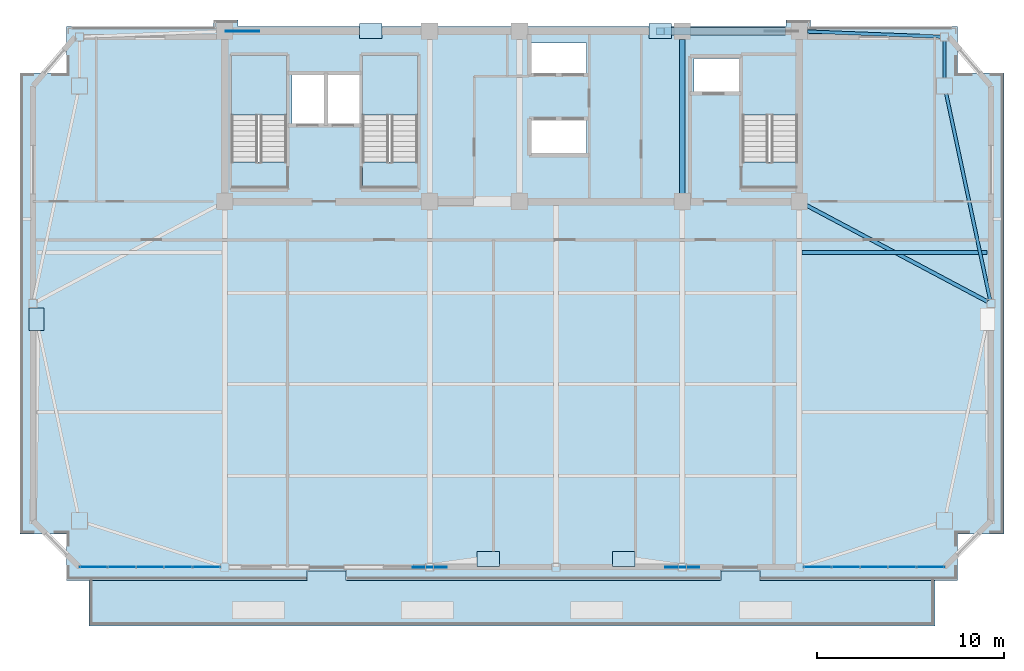
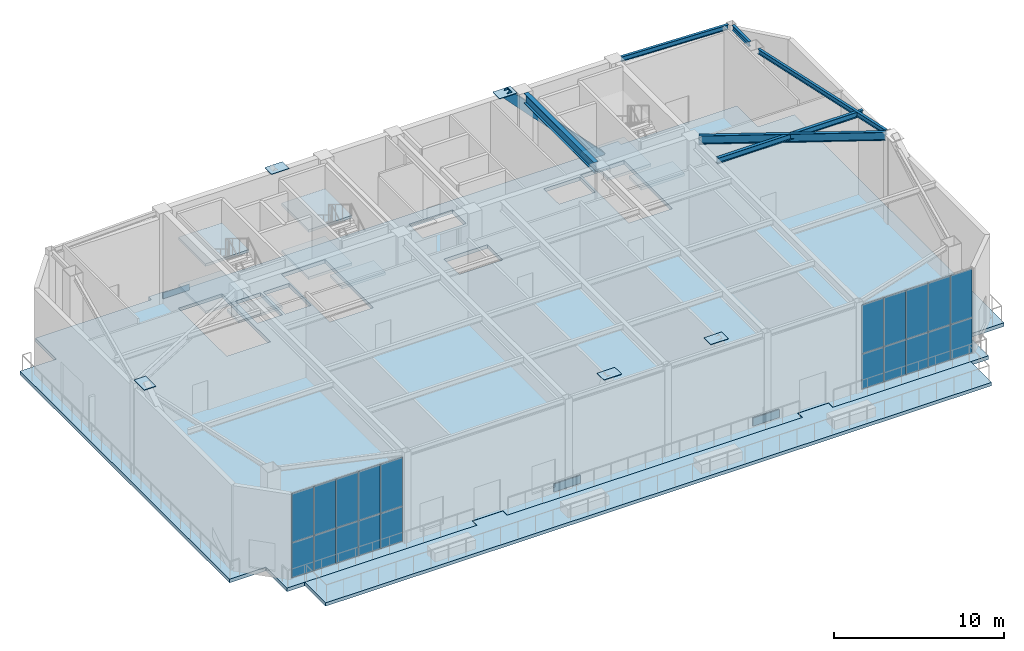
# One storey, part 7 of 15: 28 plates, 10 slabs, 6 beams, 1 member, 5 elements without a shape of their own.
"""IFC4 building model written with IfcOpenShell, lengths in metres."""

from ifc_helpers import new_model, si_unit, direction, frame, origin, origin_2d, place, context, subcontext, project, spatial, polyline, rectangle, hollow_rectangle, i_section, outline, extrude, source, transform, mapped, material, layer, layer_set, material_profile, profile_set, type_object, element, aggregate, save


model = new_model("IFC4")

# Units and contexts
model_context = context("Model", 3, precision=1e-05, world=origin(), true_north=direction((0.0, 1.0)))
body_context = subcontext(model_context, "Body", "Model", "MODEL_VIEW")
ifc_project = project(units=[si_unit("LENGTHUNIT", "METRE"), si_unit("AREAUNIT", "SQUARE_METRE"), si_unit("VOLUMEUNIT", "CUBIC_METRE"), si_unit("PLANEANGLEUNIT", "RADIAN"), si_unit("MASSUNIT", "GRAM", prefix="KILO")], contexts=[model_context])

# Site, building, storey
site_placement = place(None, origin())
site = spatial("IfcSite", under=ifc_project, at=site_placement, CompositionType="ELEMENT")
building_placement = place(site_placement, origin())
building = spatial("IfcBuilding", under=site, at=building_placement, Name="Giltprow Tower", CompositionType="ELEMENT")
storey_placement = place(building_placement, frame((0.0, 0.0, 279.10009765625)))
storey = spatial("IfcBuildingStorey", under=building, at=storey_placement, Name="L72", CompositionType="ELEMENT", Elevation=279.10009765625)

# Beams
ifc_material_1 = material(Name="Structural steel Q355B", Category="steel")
ifc_material_profile_1 = material_profile(ifc_material_1, i_section(OverallWidth=0.300048828125, OverallDepth=0.699951171875, WebThickness=0.012939453125, FlangeThickness=0.02392578125, at=origin_2d()), Name="HN 700x300x13x24")
ifc_profile_set_1 = profile_set([ifc_material_profile_1], Name="Structural steel Q355B")
beam_type_1 = type_object("IfcBeamType", Name="BM-GIRD-HN700", PredefinedType="BEAM", material=ifc_profile_set_1)
shared_shape_1 = source(origin(), body_context, "Body", "SweptSolid", [
    extrude(i_section(OverallWidth=0.300048828125, OverallDepth=0.699951171875, WebThickness=0.012939453125, FlangeThickness=0.02392578125, at=origin_2d()), origin(), (0.0, 0.0, 1.0), 8.22998046875),
])
beam_1_placement = place(storey_placement, frame((44.300048828125, 37.885009765625, 6.169921875), z_axis=(0.0, 1.0, 0.0), x_axis=(-1.0, 0.0, 0.0)))
element("IfcBeam", 1, at=beam_1_placement, inside=storey, type_object=beam_type_1, Name="L72 Core Tie Girder M3", PredefinedType="BEAM", context=body_context, shape_type="MappedRepresentation", body=[
    mapped(shared_shape_1, transform((0.0, 0.0, 0.0), x_axis=(1.0, 0.0, 0.0), y_axis=(0.0, 1.0, 0.0), z_axis=(0.0, 0.0, 1.0), scale=1.0)),
])
ifc_material_profile_2 = material_profile(ifc_material_1, i_section(OverallWidth=0.175048828125, OverallDepth=0.35009765625, WebThickness=0.007080078125, FlangeThickness=0.010986328125, at=origin_2d()), Name="HN 350x175x7x11")
ifc_profile_set_2 = profile_set([ifc_material_profile_2], Name="Structural steel Q355B")
beam_type_2 = type_object("IfcBeamType", Name="BM-SPAN-HN350", PredefinedType="SPANDREL", material=ifc_profile_set_2)
shared_shape_2 = source(origin(), body_context, "Body", "SweptSolid", [
    extrude(i_section(OverallWidth=0.175048828125, OverallDepth=0.35009765625, WebThickness=0.007080078125, FlangeThickness=0.010986328125, at=origin_2d()), origin(), (0.0, 0.0, 1.0), 11.23486328125),
])
beam_2_placement = place(storey_placement, frame((60.7470703125, 32.208984375, 6.344970703125), z_axis=(-0.208461937022, 0.978030480513, 0.0), x_axis=(-0.978030480513, -0.208461937022, 0.0)))
element("IfcBeam", 2, at=beam_2_placement, inside=storey, type_object=beam_type_2, Name="L72 Perimeter Spandrel Beam E_MID-MC_NE", PredefinedType="SPANDREL", context=body_context, shape_type="MappedRepresentation", body=[
    mapped(shared_shape_2, transform((0.0, 0.0, 0.0), x_axis=(1.0, 0.0, 0.0), y_axis=(0.0, 1.0, 0.0), z_axis=(0.0, 0.0, 1.0), scale=1.0)),
])
shared_shape_3 = source(origin(), body_context, "Body", "SweptSolid", [
    extrude(i_section(OverallWidth=0.175048828125, OverallDepth=0.35009765625, WebThickness=0.007080078125, FlangeThickness=0.010986328125, at=origin_2d()), origin(), (0.0, 0.0, 1.0), 1.983154296875),
])
beam_3_placement = place(storey_placement, frame((58.31396484375, 44.056884765625, 6.344970703125), z_axis=(0.0, 1.0, 0.0), x_axis=(-1.0, 0.0, 0.0)))
element("IfcBeam", 3, at=beam_3_placement, inside=storey, type_object=beam_type_2, Name="L72 Perimeter Spandrel Beam MC_NE-N_E", PredefinedType="SPANDREL", context=body_context, shape_type="MappedRepresentation", body=[
    mapped(shared_shape_3, transform((0.0, 0.0, 0.0), x_axis=(1.0, 0.0, 0.0), y_axis=(0.0, 1.0, 0.0), z_axis=(0.0, 0.0, 1.0), scale=1.0)),
])
shared_shape_4 = source(origin(), body_context, "Body", "SweptSolid", [
    extrude(i_section(OverallWidth=0.175048828125, OverallDepth=0.35009765625, WebThickness=0.007080078125, FlangeThickness=0.010986328125, at=origin_2d()), origin(), (0.0, 0.0, 1.0), 7.124267578125),
])
beam_4_placement = place(storey_placement, frame((50.985107421875, 46.532958984375, 6.344970703125), z_axis=(0.999255240323, -0.038587105203, 0.0), x_axis=(0.038587105203, 0.999255240323, 0.0)))
element("IfcBeam", 4, at=beam_4_placement, inside=storey, type_object=beam_type_2, Name="L72 North Wing Spandrel E", PredefinedType="SPANDREL", context=body_context, shape_type="MappedRepresentation", body=[
    mapped(shared_shape_4, transform((0.0, 0.0, 0.0), x_axis=(1.0, 0.0, 0.0), y_axis=(0.0, 1.0, 0.0), z_axis=(0.0, 0.0, 1.0), scale=1.0)),
])
ifc_material_profile_3 = material_profile(ifc_material_1, i_section(OverallWidth=0.199951171875, OverallDepth=0.60009765625, WebThickness=0.010986328125, FlangeThickness=0.01708984375, at=origin_2d()), Name="HN 600x200x11x17")
ifc_profile_set_3 = profile_set([ifc_material_profile_3], Name="Structural steel Q355B")
beam_type_3 = type_object("IfcBeamType", Name="BM-GIRD-HN600", PredefinedType="BEAM", material=ifc_profile_set_3)
shared_shape_5 = source(origin(), body_context, "Body", "SweptSolid", [
    extrude(i_section(OverallWidth=0.199951171875, OverallDepth=0.60009765625, WebThickness=0.010986328125, FlangeThickness=0.01708984375, at=origin_2d()), origin(), (0.0, 0.0, 1.0), 10.954345703125),
])
beam_5_placement = place(storey_placement, frame((60.60595703125, 32.10302734375, 6.219970703125), z_axis=(-0.882930970852, 0.469502822899, 0.0), x_axis=(-0.469502822899, -0.882930970852, 0.0)))
element("IfcBeam", 5, at=beam_5_placement, inside=storey, type_object=beam_type_3, Name="L72 East Wing Primary Girder", PredefinedType="BEAM", context=body_context, shape_type="MappedRepresentation", body=[
    mapped(shared_shape_5, transform((0.0, 0.0, 0.0), x_axis=(1.0, 0.0, 0.0), y_axis=(0.0, 1.0, 0.0), z_axis=(0.0, 0.0, 1.0), scale=1.0)),
])
ifc_material_profile_4 = material_profile(ifc_material_1, i_section(OverallWidth=0.199951171875, OverallDepth=0.39990234375, WebThickness=0.008056640625, FlangeThickness=0.012939453125, at=origin_2d()), Name="HN 400x200x8x13")
ifc_profile_set_4 = profile_set([ifc_material_profile_4], Name="Structural steel Q355B")
beam_type_4 = type_object("IfcBeamType", Name="BM-JOIST-HN400", PredefinedType="JOIST", material=ifc_profile_set_4)
shared_shape_6 = source(origin(), body_context, "Body", "SweptSolid", [
    extrude(i_section(OverallWidth=0.199951171875, OverallDepth=0.39990234375, WebThickness=0.008056640625, FlangeThickness=0.012939453125, at=origin_2d()), origin(), (0.0, 0.0, 1.0), 9.8759765625),
])
beam_6_placement = place(storey_placement, frame((50.695068359375, 34.72705078125, 6.31982421875), z_axis=(1.0, 0.0, 0.0), x_axis=(0.0, 1.0, 0.0)))
element("IfcBeam", 6, at=beam_6_placement, inside=storey, type_object=beam_type_4, Name="L72 East Wing Floor Joist 2", PredefinedType="JOIST", context=body_context, shape_type="MappedRepresentation", body=[
    mapped(shared_shape_6, transform((0.0, 0.0, 0.0), x_axis=(1.0, 0.0, 0.0), y_axis=(0.0, 1.0, 0.0), z_axis=(0.0, 0.0, 1.0), scale=1.0)),
])

# Member
ifc_material_2 = material(Name="Structural steel Q420GJC", Category="steel")
ifc_material_profile_5 = material_profile(ifc_material_2, hollow_rectangle(XDim=0.39990234375, YDim=0.60009765625, WallThickness=0.028076171875, at=origin_2d()), Name="RHS 600x400x28")
ifc_profile_set_5 = profile_set([ifc_material_profile_5], Name="Structural steel Q420GJC")
member_type = type_object("IfcMemberType", Name="MBR-MEGA-RHS600", PredefinedType="BRACE", material=ifc_profile_set_5)
shared_shape_7 = source(origin(), body_context, "Body", "SweptSolid", [
    extrude(hollow_rectangle(XDim=0.39990234375, YDim=0.60009765625, WallThickness=0.028076171875, at=origin_2d()), origin(), (0.0, 0.0, 1.0), 9.390380859375),
])
member_placement = place(storey_placement, frame((49.60009765625, 46.550048828125, -0.14013671875), z_axis=(-0.689646083574, 0.0, 0.724146586963), x_axis=(0.0, -1.0, 0.0)))
element("IfcMember", 7, at=member_placement, inside=storey, type_object=member_type, Name="L72 Chevron Mega-Brace N-R", PredefinedType="BRACE", context=body_context, shape_type="MappedRepresentation", body=[
    mapped(shared_shape_7, transform((0.0, 0.0, 0.0), x_axis=(1.0, 0.0, 0.0), y_axis=(0.0, 1.0, 0.0), z_axis=(0.0, 0.0, 1.0), scale=1.0)),
])

# Slabs
ifc_material_3 = material(Name="Concrete C40", Category="concrete")
ifc_layer_1 = layer(ifc_material_3, 0.260009765625, Name="Concrete C40")
ifc_layer_set_1 = layer_set([ifc_layer_1], Name="Concrete C40")
slab_type_1 = type_object("IfcSlabType", Name="SLB-SG-260", PredefinedType="FLOOR", material=ifc_layer_set_1)
slab_1_placement = place(storey_placement, frame((0.0, 0.0, -0.260009765625)))
element("IfcSlab", 8, at=slab_1_placement, inside=storey, type_object=slab_type_1, Name="L72 Structural Composite Floor Slab", PredefinedType="FLOOR", context=body_context, shape_type="SweptSolid", body=[
    extrude(outline(polyline([(61.490966796875, 44.322021484375), (61.490966796875, 19.68505859375), (59.013916015625, 19.68505859375), (59.013916015625, 17.2080078125), (48.449951171875, 17.2080078125), (48.449951171875, 17.72802734375), (46.35009765625, 17.72802734375), (46.35009765625, 17.2080078125), (26.35009765625, 17.2080078125), (26.35009765625, 17.72802734375), (24.25, 17.72802734375), (24.25, 17.2080078125), (11.385986328125, 17.2080078125), (11.385986328125, 19.68505859375), (8.908935546875, 19.68505859375), (8.908935546875, 44.322021484375), (11.385986328125, 44.322021484375), (11.385986328125, 46.799072265625), (19.25, 46.799072265625), (19.25, 47.14990234375), (20.550048828125, 47.14990234375), (20.550048828125, 46.799072265625), (49.85009765625, 46.799072265625), (49.85009765625, 47.14990234375), (51.14990234375, 47.14990234375), (51.14990234375, 46.799072265625), (59.013916015625, 46.799072265625), (59.013916015625, 44.322021484375), (61.490966796875, 44.322021484375)]), holes=[polyline([(39.18994140625, 41.800048828125), (36.239990234375, 41.800048828125), (36.239990234375, 40.0), (39.18994140625, 40.0), (39.18994140625, 41.800048828125)]), polyline([(23.159912109375, 39.570068359375), (23.159912109375, 45.25), (20.199951171875, 45.25), (20.199951171875, 39.570068359375), (23.159912109375, 39.570068359375)]), polyline([(30.159912109375, 39.570068359375), (30.159912109375, 45.25), (27.199951171875, 45.25), (27.199951171875, 39.570068359375), (30.159912109375, 39.570068359375)]), polyline([(50.4599609375, 45.25), (47.5, 45.25), (47.5, 39.570068359375), (50.4599609375, 39.570068359375), (50.4599609375, 45.25)]), polyline([(25.169921875, 44.199951171875), (23.449951171875, 44.199951171875), (23.449951171875, 41.60009765625), (25.169921875, 41.60009765625), (25.169921875, 44.199951171875)]), polyline([(27.10009765625, 44.199951171875), (25.35009765625, 44.199951171875), (25.35009765625, 41.60009765625), (27.10009765625, 41.60009765625), (27.10009765625, 44.199951171875)]), polyline([(47.3798828125, 43.300048828125), (47.3798828125, 45.10009765625), (44.919921875, 45.10009765625), (44.919921875, 43.300048828125), (47.3798828125, 43.300048828125)]), polyline([(39.18994140625, 44.300048828125), (39.18994140625, 45.919921875), (36.239990234375, 45.919921875), (36.239990234375, 44.300048828125), (39.18994140625, 44.300048828125)])]), origin(), (0.0, 0.0, 1.0), 0.260009765625),
])
ifc_layer_2 = layer(ifc_material_3, 0.239990234375, Name="Concrete C40")
ifc_layer_set_2 = layer_set([ifc_layer_2], Name="Concrete C40")
slab_type_2 = type_object("IfcSlabType", Name="SLB-SKYGARDEN-ROOF-240", PredefinedType="FLOOR", material=ifc_layer_set_2)
slab_2_placement = place(storey_placement, frame((0.0, 0.0, -0.239990234375)))
element("IfcSlab", 9, at=slab_2_placement, inside=storey, type_object=slab_type_2, Name="L72 Planted Sky Garden Terrace Slab", PredefinedType="FLOOR", context=body_context, shape_type="SweptSolid", body=[
    extrude(outline(polyline([(57.81396484375, 17.2080078125), (57.81396484375, 14.758056640625), (12.5859375, 14.758056640625), (12.5859375, 17.2080078125), (24.280029296875, 17.2080078125), (24.280029296875, 17.7080078125), (26.320068359375, 17.7080078125), (26.320068359375, 17.2080078125), (46.3798828125, 17.2080078125), (46.3798828125, 17.7080078125), (48.419921875, 17.7080078125), (48.419921875, 17.2080078125), (57.81396484375, 17.2080078125)])), origin(), (0.0, 0.0, 1.0), 0.239990234375),
])

# Stair, slabs
stair_type_1 = type_object("IfcStairType", Name="STR-ST-1", PredefinedType="HALF_TURN_STAIR", material=ifc_material_3)
stair_1_placement = place(storey_placement, origin())
stair_1 = element("IfcStair", 10, at=stair_1_placement, inside=storey, type_object=stair_type_1, Name="L72 Core Exit Stair ST-1", PredefinedType="HALF_TURN_STAIR")
ifc_layer_3 = layer(ifc_material_3, 0.179931640625, Name="Concrete C40")
ifc_layer_set_3 = layer_set([ifc_layer_3], Name="Concrete C40")
slab_type_3 = type_object("IfcSlabType", Name="SLD-ST-1", PredefinedType="LANDING", material=ifc_layer_set_3)
slab_3_placement = place(storey_placement, frame((0.0, 0.0, 1.52001953125)))
slab_3 = element("IfcSlab", 11, at=slab_3_placement, type_object=slab_type_3, Name="ST-1 landing 1", PredefinedType="LANDING", context=body_context, shape_type="SweptSolid", body=[
    extrude(outline(polyline([(23.159912109375, 42.070068359375), (23.159912109375, 45.25), (20.199951171875, 45.25), (20.199951171875, 42.070068359375), (23.159912109375, 42.070068359375)])), origin(), (0.0, 0.0, 1.0), 0.179931640625),
])
slab_4_placement = place(storey_placement, frame((0.0, 0.0, 3.219970703125)))
slab_4 = element("IfcSlab", 12, at=slab_4_placement, type_object=slab_type_3, Name="ST-1 landing 2", PredefinedType="LANDING", context=body_context, shape_type="SweptSolid", body=[
    extrude(outline(polyline([(23.159912109375, 38.14990234375), (23.159912109375, 39.550048828125), (20.199951171875, 39.550048828125), (20.199951171875, 38.14990234375), (23.159912109375, 38.14990234375)])), origin(), (0.0, 0.0, 1.0), 0.179931640625),
])
slab_5_placement = place(storey_placement, frame((0.0, 0.0, 4.919921875)))
slab_5 = element("IfcSlab", 13, at=slab_5_placement, type_object=slab_type_3, Name="ST-1 landing 3", PredefinedType="LANDING", context=body_context, shape_type="SweptSolid", body=[
    extrude(outline(polyline([(23.159912109375, 42.070068359375), (23.159912109375, 45.25), (20.199951171875, 45.25), (20.199951171875, 42.070068359375), (23.159912109375, 42.070068359375)])), origin(), (0.0, 0.0, 1.0), 0.179931640625),
])
aggregate(stair_1, [slab_3, slab_4, slab_5])

stair_type_2 = type_object("IfcStairType", Name="STR-ST-2", PredefinedType="HALF_TURN_STAIR", material=ifc_material_3)
stair_2_placement = place(storey_placement, origin())
stair_2 = element("IfcStair", 14, at=stair_2_placement, inside=storey, type_object=stair_type_2, Name="L72 Core Exit Stair ST-2", PredefinedType="HALF_TURN_STAIR")
ifc_layer_4 = layer(ifc_material_3, 0.18798828125, Name="Concrete C40")
ifc_layer_set_4 = layer_set([ifc_layer_4], Name="Concrete C40")
slab_type_4 = type_object("IfcSlabType", Name="SLD-ST-2", PredefinedType="LANDING", material=ifc_layer_set_4)
slab_6_placement = place(storey_placement, frame((0.0, 0.0, 1.511962890625)))
slab_6 = element("IfcSlab", 15, at=slab_6_placement, type_object=slab_type_4, Name="ST-2 landing 1", PredefinedType="LANDING", context=body_context, shape_type="SweptSolid", body=[
    extrude(outline(polyline([(30.159912109375, 42.070068359375), (30.159912109375, 45.25), (27.199951171875, 45.25), (27.199951171875, 42.070068359375), (30.159912109375, 42.070068359375)])), origin(), (0.0, 0.0, 1.0), 0.18798828125),
])
slab_7_placement = place(storey_placement, frame((0.0, 0.0, 3.2119140625)))
slab_7 = element("IfcSlab", 16, at=slab_7_placement, type_object=slab_type_4, Name="ST-2 landing 2", PredefinedType="LANDING", context=body_context, shape_type="SweptSolid", body=[
    extrude(outline(polyline([(30.159912109375, 38.14990234375), (30.159912109375, 39.550048828125), (27.199951171875, 39.550048828125), (27.199951171875, 38.14990234375), (30.159912109375, 38.14990234375)])), origin(), (0.0, 0.0, 1.0), 0.18798828125),
])
slab_8_placement = place(storey_placement, frame((0.0, 0.0, 4.911865234375)))
slab_8 = element("IfcSlab", 17, at=slab_8_placement, type_object=slab_type_4, Name="ST-2 landing 3", PredefinedType="LANDING", context=body_context, shape_type="SweptSolid", body=[
    extrude(outline(polyline([(30.159912109375, 42.070068359375), (30.159912109375, 45.25), (27.199951171875, 45.25), (27.199951171875, 42.070068359375), (30.159912109375, 42.070068359375)])), origin(), (0.0, 0.0, 1.0), 0.18798828125),
])
aggregate(stair_2, [slab_6, slab_7, slab_8])

stair_type_3 = type_object("IfcStairType", Name="STR-ST-3", PredefinedType="HALF_TURN_STAIR", material=ifc_material_3)
stair_3_placement = place(storey_placement, origin())
stair_3 = element("IfcStair", 18, at=stair_3_placement, inside=storey, type_object=stair_type_3, Name="L72 Core Exit Stair ST-3", PredefinedType="HALF_TURN_STAIR")
ifc_layer_5 = layer(ifc_material_3, 0.196044921875, Name="Concrete C40")
ifc_layer_set_5 = layer_set([ifc_layer_5], Name="Concrete C40")
slab_type_5 = type_object("IfcSlabType", Name="SLD-ST-3", PredefinedType="LANDING", material=ifc_layer_set_5)
slab_9_placement = place(storey_placement, frame((0.0, 0.0, 1.50390625)))
slab_9 = element("IfcSlab", 19, at=slab_9_placement, type_object=slab_type_5, Name="ST-3 landing 1", PredefinedType="LANDING", context=body_context, shape_type="SweptSolid", body=[
    extrude(outline(polyline([(50.4599609375, 42.070068359375), (50.4599609375, 45.25), (47.5, 45.25), (47.5, 42.070068359375), (50.4599609375, 42.070068359375)])), origin(), (0.0, 0.0, 1.0), 0.196044921875),
])
slab_10_placement = place(storey_placement, frame((0.0, 0.0, 3.203857421875)))
slab_10 = element("IfcSlab", 20, at=slab_10_placement, type_object=slab_type_5, Name="ST-3 landing 2", PredefinedType="LANDING", context=body_context, shape_type="SweptSolid", body=[
    extrude(outline(polyline([(50.4599609375, 38.14990234375), (50.4599609375, 39.550048828125), (47.5, 39.550048828125), (47.5, 38.14990234375), (50.4599609375, 38.14990234375)])), origin(), (0.0, 0.0, 1.0), 0.196044921875),
])
aggregate(stair_3, [slab_9, slab_10])

# Plates
plate_type_1 = type_object("IfcPlateType", Name="PLT-NODE-MBN1", PredefinedType="USERDEFINED", material=ifc_material_2)
shared_shape_8 = source(origin(), body_context, "Body", "SweptSolid", [
    extrude(rectangle(XDim=1.800048828125, YDim=0.050048828125, at=origin_2d()), origin(), (0.0, 0.0, 1.0), 1.14990234375),
])
for number, where, z_axis, x_axis, name in (
    (21, (30.800048828125, 17.907958984375, -0.574951171875), (0.0, 0.0, 1.0), (1.0, 0.0, 0.0), "Mega-Brace Node L72-S-LA"),
    (22, (44.300048828125, 17.907958984375, -0.574951171875), (0.0, 0.0, 1.0), (1.0, 0.0, 0.0), "Mega-Brace Node L72-S-RA"),
    (23, (20.800048828125, 46.550048828125, -0.715087890625), (0.0, 0.0, 1.0), (1.0, 0.0, 0.0), "Mega-Brace Node L72-N-LA"),
):
    element("IfcPlate", number, at=place(storey_placement, frame(where, z_axis=z_axis, x_axis=x_axis)), inside=storey, type_object=plate_type_1, Name=name, ObjectType="GUSSET", PredefinedType="USERDEFINED", context=body_context, shape_type="MappedRepresentation", body=[
        mapped(shared_shape_8, transform((0.0, 0.0, 0.0), x_axis=(1.0, 0.0, 0.0), y_axis=(0.0, 1.0, 0.0), z_axis=(0.0, 0.0, 1.0), scale=1.0)),
    ])
plate_type_2 = type_object("IfcPlateType", Name="PLT-CAP-SEAL", PredefinedType="USERDEFINED", material=ifc_material_2)
shared_shape_9 = source(origin(), body_context, "Body", "SweptSolid", [
    extrude(rectangle(XDim=1.199951171875, YDim=0.800048828125, at=origin_2d()), origin(), (0.0, 0.0, 1.0), 0.034912109375),
])
for number, where, z_axis, x_axis, name in (
    (24, (33.922119140625, 18.340087890625, 6.7822265625), (0.0, 0.0, 1.0), (1.0, 0.0, 0.0), "Mega-Brace Node L72-S-LB"),
    (25, (41.177978515625, 18.340087890625, 6.7822265625), (0.0, 0.0, 1.0), (1.0, 0.0, 0.0), "Mega-Brace Node L72-S-RB"),
    (26, (27.64599609375, 46.550048828125, 6.642578125), (0.0, 0.0, 1.0), (1.0, 0.0, 0.0), "Mega-Brace Node L72-N-LB"),
    (27, (43.1240234375, 46.550048828125, 6.642578125), (0.0, 0.0, 1.0), (1.0, 0.0, 0.0), "Mega-Brace Node L72-N-RB"),
    (28, (9.801025390625, 31.156005859375, 6.7822265625), (0.0, 0.0, 1.0), (0.0, 1.0, 0.0), "Mega-Brace Node L72-W-DB"),
):
    element("IfcPlate", number, at=place(storey_placement, frame(where, z_axis=z_axis, x_axis=x_axis)), inside=storey, type_object=plate_type_2, Name=name, ObjectType="SPLICE", PredefinedType="USERDEFINED", context=body_context, shape_type="MappedRepresentation", body=[
        mapped(shared_shape_9, transform((0.0, 0.0, 0.0), x_axis=(1.0, 0.0, 0.0), y_axis=(0.0, 1.0, 0.0), z_axis=(0.0, 0.0, 1.0), scale=1.0)),
    ])

# Curtain wall, plates
ifc_material_4 = material(Name="Anodized bronze", Category="metal")
ifc_layer_6 = layer(ifc_material_4, 0.179931640625, Name="Anodized bronze")
ifc_layer_set_6 = layer_set([ifc_layer_6], Name="Anodized bronze")
curtain_wall_type = type_object("IfcCurtainWallType", Name="CW-SKYGARDEN", PredefinedType="NOTDEFINED", material=ifc_layer_set_6)
curtain_wall_1_placement = place(storey_placement, origin())
curtain_wall_1 = element("IfcCurtainWall", 29, at=curtain_wall_1_placement, inside=storey, type_object=curtain_wall_type, Name="L72 South Recessed Curtain Wall 1", PredefinedType="NOTDEFINED")
ifc_material_5 = material(Name="Insulated glass", Category="glass")
plate_type_3 = type_object("IfcPlateType", Name="CW-PANEL-IGU-28", PredefinedType="CURTAIN_PANEL", material=ifc_material_5)
shared_shape_10 = source(origin(), body_context, "Body", "SweptSolid", [
    extrude(rectangle(XDim=1.47802734375, YDim=0.028076171875, at=origin_2d()), origin(), (0.0, 0.0, 1.0), 2.514892578125),
])
plate_1_placement = place(storey_placement, frame((12.840087890625, 17.907958984375, 0.05322265625), z_axis=(0.0, 0.0, 1.0), x_axis=(1.0, 0.0, 0.0)))
plate_1 = element("IfcPlate", 30, at=plate_1_placement, type_object=plate_type_3, Name="L72 South Recessed Curtain Wall 1 Glazing Panel 1-1", PredefinedType="CURTAIN_PANEL", context=body_context, shape_type="MappedRepresentation", body=[
    mapped(shared_shape_10, transform((0.0, 0.0, 0.0), x_axis=(1.0, 0.0, 0.0), y_axis=(0.0, 1.0, 0.0), z_axis=(0.0, 0.0, 1.0), scale=1.0)),
])
plate_2_placement = place(storey_placement, frame((14.347900390625, 17.907958984375, 0.05322265625), z_axis=(0.0, 0.0, 1.0), x_axis=(1.0, 0.0, 0.0)))
plate_2 = element("IfcPlate", 31, at=plate_2_placement, type_object=plate_type_3, Name="L72 South Recessed Curtain Wall 1 Glazing Panel 2-1", PredefinedType="CURTAIN_PANEL", context=body_context, shape_type="MappedRepresentation", body=[
    mapped(shared_shape_10, transform((0.0, 0.0, 0.0), x_axis=(1.0, 0.0, 0.0), y_axis=(0.0, 1.0, 0.0), z_axis=(0.0, 0.0, 1.0), scale=1.0)),
])
plate_3_placement = place(storey_placement, frame((15.85498046875, 17.907958984375, 0.05322265625), z_axis=(0.0, 0.0, 1.0), x_axis=(1.0, 0.0, 0.0)))
plate_3 = element("IfcPlate", 32, at=plate_3_placement, type_object=plate_type_3, Name="L72 South Recessed Curtain Wall 1 Glazing Panel 3-1", PredefinedType="CURTAIN_PANEL", context=body_context, shape_type="MappedRepresentation", body=[
    mapped(shared_shape_10, transform((0.0, 0.0, 0.0), x_axis=(1.0, 0.0, 0.0), y_axis=(0.0, 1.0, 0.0), z_axis=(0.0, 0.0, 1.0), scale=1.0)),
])
plate_4_placement = place(storey_placement, frame((17.363037109375, 17.907958984375, 0.05322265625), z_axis=(0.0, 0.0, 1.0), x_axis=(1.0, 0.0, 0.0)))
plate_4 = element("IfcPlate", 33, at=plate_4_placement, type_object=plate_type_3, Name="L72 South Recessed Curtain Wall 1 Glazing Panel 4-1", PredefinedType="CURTAIN_PANEL", context=body_context, shape_type="MappedRepresentation", body=[
    mapped(shared_shape_10, transform((0.0, 0.0, 0.0), x_axis=(1.0, 0.0, 0.0), y_axis=(0.0, 1.0, 0.0), z_axis=(0.0, 0.0, 1.0), scale=1.0)),
])
plate_5_placement = place(storey_placement, frame((18.87109375, 17.907958984375, 0.05322265625), z_axis=(0.0, 0.0, 1.0), x_axis=(1.0, 0.0, 0.0)))
plate_5 = element("IfcPlate", 34, at=plate_5_placement, type_object=plate_type_3, Name="L72 South Recessed Curtain Wall 1 Glazing Panel 5-1", PredefinedType="CURTAIN_PANEL", context=body_context, shape_type="MappedRepresentation", body=[
    mapped(shared_shape_10, transform((0.0, 0.0, 0.0), x_axis=(1.0, 0.0, 0.0), y_axis=(0.0, 1.0, 0.0), z_axis=(0.0, 0.0, 1.0), scale=1.0)),
])

curtain_wall_2_placement = place(storey_placement, origin())
curtain_wall_2 = element("IfcCurtainWall", 35, at=curtain_wall_2_placement, inside=storey, type_object=curtain_wall_type, Name="L72 South Recessed Curtain Wall 6", PredefinedType="NOTDEFINED")
plate_6_placement = place(storey_placement, frame((51.529052734375, 17.907958984375, 0.05322265625), z_axis=(0.0, 0.0, 1.0), x_axis=(1.0, 0.0, 0.0)))
plate_6 = element("IfcPlate", 36, at=plate_6_placement, type_object=plate_type_3, Name="L72 South Recessed Curtain Wall 6 Glazing Panel 1-1", PredefinedType="CURTAIN_PANEL", context=body_context, shape_type="MappedRepresentation", body=[
    mapped(shared_shape_10, transform((0.0, 0.0, 0.0), x_axis=(1.0, 0.0, 0.0), y_axis=(0.0, 1.0, 0.0), z_axis=(0.0, 0.0, 1.0), scale=1.0)),
])
plate_7_placement = place(storey_placement, frame((53.037109375, 17.907958984375, 0.05322265625), z_axis=(0.0, 0.0, 1.0), x_axis=(1.0, 0.0, 0.0)))
plate_7 = element("IfcPlate", 37, at=plate_7_placement, type_object=plate_type_3, Name="L72 South Recessed Curtain Wall 6 Glazing Panel 2-1", PredefinedType="CURTAIN_PANEL", context=body_context, shape_type="MappedRepresentation", body=[
    mapped(shared_shape_10, transform((0.0, 0.0, 0.0), x_axis=(1.0, 0.0, 0.0), y_axis=(0.0, 1.0, 0.0), z_axis=(0.0, 0.0, 1.0), scale=1.0)),
])
plate_8_placement = place(storey_placement, frame((54.5439453125, 17.907958984375, 0.05322265625), z_axis=(0.0, 0.0, 1.0), x_axis=(1.0, 0.0, 0.0)))
plate_8 = element("IfcPlate", 38, at=plate_8_placement, type_object=plate_type_3, Name="L72 South Recessed Curtain Wall 6 Glazing Panel 3-1", PredefinedType="CURTAIN_PANEL", context=body_context, shape_type="MappedRepresentation", body=[
    mapped(shared_shape_10, transform((0.0, 0.0, 0.0), x_axis=(1.0, 0.0, 0.0), y_axis=(0.0, 1.0, 0.0), z_axis=(0.0, 0.0, 1.0), scale=1.0)),
])
plate_9_placement = place(storey_placement, frame((56.052001953125, 17.907958984375, 0.05322265625), z_axis=(0.0, 0.0, 1.0), x_axis=(1.0, 0.0, 0.0)))
plate_9 = element("IfcPlate", 39, at=plate_9_placement, type_object=plate_type_3, Name="L72 South Recessed Curtain Wall 6 Glazing Panel 4-1", PredefinedType="CURTAIN_PANEL", context=body_context, shape_type="MappedRepresentation", body=[
    mapped(shared_shape_10, transform((0.0, 0.0, 0.0), x_axis=(1.0, 0.0, 0.0), y_axis=(0.0, 1.0, 0.0), z_axis=(0.0, 0.0, 1.0), scale=1.0)),
])
plate_10_placement = place(storey_placement, frame((57.56005859375, 17.907958984375, 0.05322265625), z_axis=(0.0, 0.0, 1.0), x_axis=(1.0, 0.0, 0.0)))
plate_10 = element("IfcPlate", 40, at=plate_10_placement, type_object=plate_type_3, Name="L72 South Recessed Curtain Wall 6 Glazing Panel 5-1", PredefinedType="CURTAIN_PANEL", context=body_context, shape_type="MappedRepresentation", body=[
    mapped(shared_shape_10, transform((0.0, 0.0, 0.0), x_axis=(1.0, 0.0, 0.0), y_axis=(0.0, 1.0, 0.0), z_axis=(0.0, 0.0, 1.0), scale=1.0)),
])

# Plate
shared_shape_11 = source(origin(), body_context, "Body", "SweptSolid", [
    extrude(rectangle(XDim=1.47802734375, YDim=0.028076171875, at=origin_2d()), origin(), (0.0, 0.0, 1.0), 3.4990234375),
])
plate_11_placement = place(storey_placement, frame((12.840087890625, 17.907958984375, 2.597412109375), z_axis=(0.0, 0.0, 1.0), x_axis=(1.0, 0.0, 0.0)))
plate_11 = element("IfcPlate", 41, at=plate_11_placement, type_object=plate_type_3, Name="L72 South Recessed Curtain Wall 1 Glazing Panel 1-2", PredefinedType="CURTAIN_PANEL", context=body_context, shape_type="MappedRepresentation", body=[
    mapped(shared_shape_11, transform((0.0, 0.0, 0.0), x_axis=(1.0, 0.0, 0.0), y_axis=(0.0, 1.0, 0.0), z_axis=(0.0, 0.0, 1.0), scale=1.0)),
])

plate_12_placement = place(storey_placement, frame((14.347900390625, 17.907958984375, 2.597412109375), z_axis=(0.0, 0.0, 1.0), x_axis=(1.0, 0.0, 0.0)))
plate_12 = element("IfcPlate", 42, at=plate_12_placement, type_object=plate_type_3, Name="L72 South Recessed Curtain Wall 1 Glazing Panel 2-2", PredefinedType="CURTAIN_PANEL", context=body_context, shape_type="MappedRepresentation", body=[
    mapped(shared_shape_11, transform((0.0, 0.0, 0.0), x_axis=(1.0, 0.0, 0.0), y_axis=(0.0, 1.0, 0.0), z_axis=(0.0, 0.0, 1.0), scale=1.0)),
])

plate_13_placement = place(storey_placement, frame((15.85498046875, 17.907958984375, 2.597412109375), z_axis=(0.0, 0.0, 1.0), x_axis=(1.0, 0.0, 0.0)))
plate_13 = element("IfcPlate", 43, at=plate_13_placement, type_object=plate_type_3, Name="L72 South Recessed Curtain Wall 1 Glazing Panel 3-2", PredefinedType="CURTAIN_PANEL", context=body_context, shape_type="MappedRepresentation", body=[
    mapped(shared_shape_11, transform((0.0, 0.0, 0.0), x_axis=(1.0, 0.0, 0.0), y_axis=(0.0, 1.0, 0.0), z_axis=(0.0, 0.0, 1.0), scale=1.0)),
])

plate_14_placement = place(storey_placement, frame((17.363037109375, 17.907958984375, 2.597412109375), z_axis=(0.0, 0.0, 1.0), x_axis=(1.0, 0.0, 0.0)))
plate_14 = element("IfcPlate", 44, at=plate_14_placement, type_object=plate_type_3, Name="L72 South Recessed Curtain Wall 1 Glazing Panel 4-2", PredefinedType="CURTAIN_PANEL", context=body_context, shape_type="MappedRepresentation", body=[
    mapped(shared_shape_11, transform((0.0, 0.0, 0.0), x_axis=(1.0, 0.0, 0.0), y_axis=(0.0, 1.0, 0.0), z_axis=(0.0, 0.0, 1.0), scale=1.0)),
])

plate_15_placement = place(storey_placement, frame((18.87109375, 17.907958984375, 2.597412109375), z_axis=(0.0, 0.0, 1.0), x_axis=(1.0, 0.0, 0.0)))
plate_15 = element("IfcPlate", 45, at=plate_15_placement, type_object=plate_type_3, Name="L72 South Recessed Curtain Wall 1 Glazing Panel 5-2", PredefinedType="CURTAIN_PANEL", context=body_context, shape_type="MappedRepresentation", body=[
    mapped(shared_shape_11, transform((0.0, 0.0, 0.0), x_axis=(1.0, 0.0, 0.0), y_axis=(0.0, 1.0, 0.0), z_axis=(0.0, 0.0, 1.0), scale=1.0)),
])

aggregate(curtain_wall_1, [plate_1, plate_11, plate_2, plate_12, plate_3, plate_13, plate_4, plate_14, plate_5, plate_15])

plate_16_placement = place(storey_placement, frame((51.529052734375, 17.907958984375, 2.597412109375), z_axis=(0.0, 0.0, 1.0), x_axis=(1.0, 0.0, 0.0)))
plate_16 = element("IfcPlate", 46, at=plate_16_placement, type_object=plate_type_3, Name="L72 South Recessed Curtain Wall 6 Glazing Panel 1-2", PredefinedType="CURTAIN_PANEL", context=body_context, shape_type="MappedRepresentation", body=[
    mapped(shared_shape_11, transform((0.0, 0.0, 0.0), x_axis=(1.0, 0.0, 0.0), y_axis=(0.0, 1.0, 0.0), z_axis=(0.0, 0.0, 1.0), scale=1.0)),
])

plate_17_placement = place(storey_placement, frame((53.037109375, 17.907958984375, 2.597412109375), z_axis=(0.0, 0.0, 1.0), x_axis=(1.0, 0.0, 0.0)))
plate_17 = element("IfcPlate", 47, at=plate_17_placement, type_object=plate_type_3, Name="L72 South Recessed Curtain Wall 6 Glazing Panel 2-2", PredefinedType="CURTAIN_PANEL", context=body_context, shape_type="MappedRepresentation", body=[
    mapped(shared_shape_11, transform((0.0, 0.0, 0.0), x_axis=(1.0, 0.0, 0.0), y_axis=(0.0, 1.0, 0.0), z_axis=(0.0, 0.0, 1.0), scale=1.0)),
])

plate_18_placement = place(storey_placement, frame((54.5439453125, 17.907958984375, 2.597412109375), z_axis=(0.0, 0.0, 1.0), x_axis=(1.0, 0.0, 0.0)))
plate_18 = element("IfcPlate", 48, at=plate_18_placement, type_object=plate_type_3, Name="L72 South Recessed Curtain Wall 6 Glazing Panel 3-2", PredefinedType="CURTAIN_PANEL", context=body_context, shape_type="MappedRepresentation", body=[
    mapped(shared_shape_11, transform((0.0, 0.0, 0.0), x_axis=(1.0, 0.0, 0.0), y_axis=(0.0, 1.0, 0.0), z_axis=(0.0, 0.0, 1.0), scale=1.0)),
])

plate_19_placement = place(storey_placement, frame((56.052001953125, 17.907958984375, 2.597412109375), z_axis=(0.0, 0.0, 1.0), x_axis=(1.0, 0.0, 0.0)))
plate_19 = element("IfcPlate", 49, at=plate_19_placement, type_object=plate_type_3, Name="L72 South Recessed Curtain Wall 6 Glazing Panel 4-2", PredefinedType="CURTAIN_PANEL", context=body_context, shape_type="MappedRepresentation", body=[
    mapped(shared_shape_11, transform((0.0, 0.0, 0.0), x_axis=(1.0, 0.0, 0.0), y_axis=(0.0, 1.0, 0.0), z_axis=(0.0, 0.0, 1.0), scale=1.0)),
])

plate_20_placement = place(storey_placement, frame((57.56005859375, 17.907958984375, 2.597412109375), z_axis=(0.0, 0.0, 1.0), x_axis=(1.0, 0.0, 0.0)))
plate_20 = element("IfcPlate", 50, at=plate_20_placement, type_object=plate_type_3, Name="L72 South Recessed Curtain Wall 6 Glazing Panel 5-2", PredefinedType="CURTAIN_PANEL", context=body_context, shape_type="MappedRepresentation", body=[
    mapped(shared_shape_11, transform((0.0, 0.0, 0.0), x_axis=(1.0, 0.0, 0.0), y_axis=(0.0, 1.0, 0.0), z_axis=(0.0, 0.0, 1.0), scale=1.0)),
])

aggregate(curtain_wall_2, [plate_6, plate_16, plate_7, plate_17, plate_8, plate_18, plate_9, plate_19, plate_10, plate_20])

save(model, "model.ifc")
